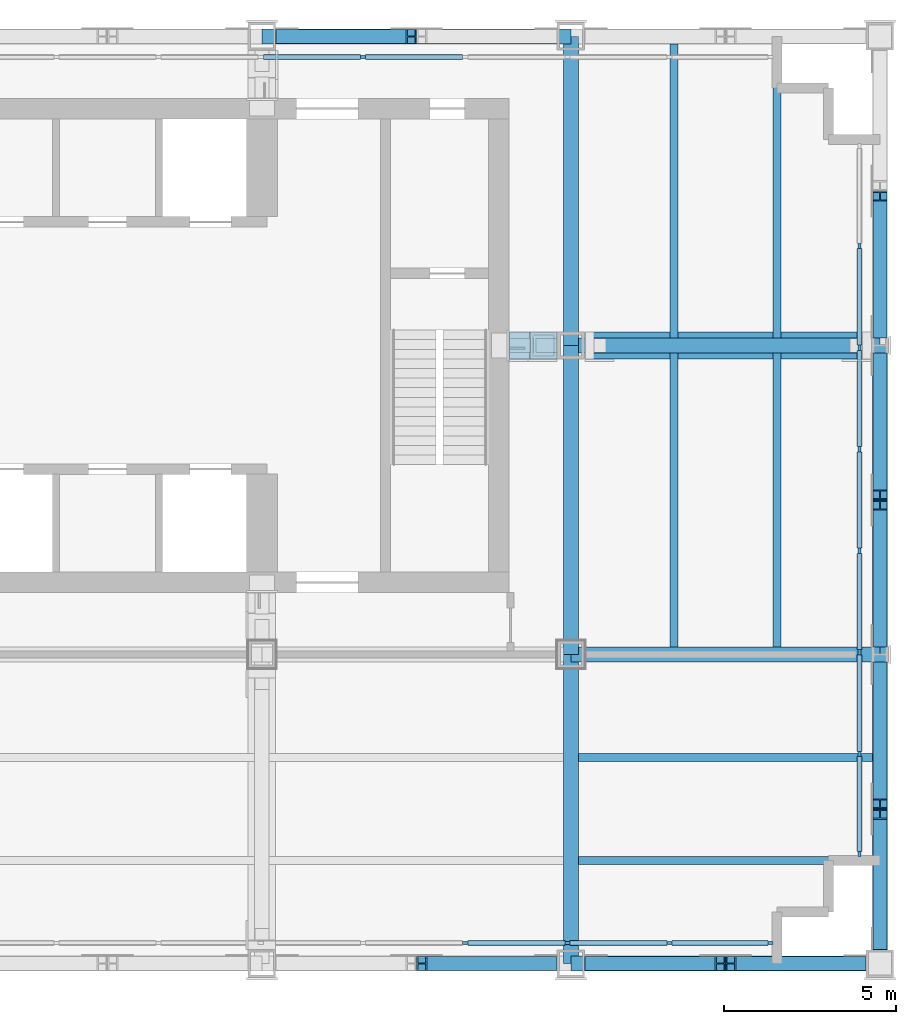
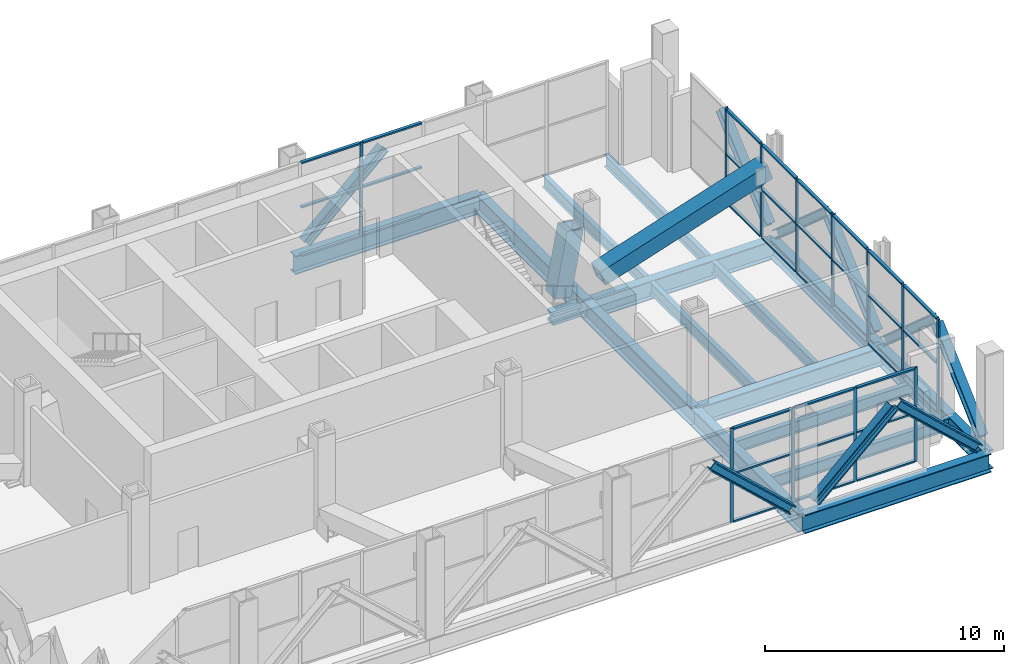
# One storey, part 5 of 13: 57 members, 15 beams, 3 elements without a shape of their own.
"""IFC4 building model written with IfcOpenShell, lengths in metres."""

from ifc_helpers import new_model, si_unit, direction, frame, origin, origin_2d, place, context, subcontext, project, spatial, rectangle, hollow_rectangle, i_section, extrude, material, material_profile, profile_set, type_object, element, aggregate, save


model = new_model("IFC4")

# Units and contexts
model_context = context("Model", 3, precision=1e-05, world=origin(), true_north=direction((0.0, 1.0)))
body_context = subcontext(model_context, "Body", "Model", "MODEL_VIEW")
ifc_project = project(units=[si_unit("LENGTHUNIT", "METRE"), si_unit("AREAUNIT", "SQUARE_METRE"), si_unit("VOLUMEUNIT", "CUBIC_METRE"), si_unit("PLANEANGLEUNIT", "RADIAN"), si_unit("MASSUNIT", "GRAM", prefix="KILO")], contexts=[model_context])

# Site, building, storey
site_placement = place(None, origin())
site = spatial("IfcSite", under=ifc_project, at=site_placement, CompositionType="ELEMENT")
building_placement = place(site_placement, origin())
building = spatial("IfcBuilding", under=site, at=building_placement, Name="Loomwork Tower", CompositionType="ELEMENT")
storey_placement = place(building_placement, frame((0.0, 0.0, 221.60009765625)))
storey = spatial("IfcBuildingStorey", under=building, at=storey_placement, Name="L61", CompositionType="ELEMENT", Elevation=221.60009765625)

# Beams
ifc_material_1 = material(Name="Steel ASTM A992", Category="steel")
ifc_material_profile_1 = material_profile(ifc_material_1, i_section(OverallWidth=0.424072265625, OverallDepth=0.947509765625, WebThickness=0.02392578125, FlangeThickness=0.042724609375, at=origin_2d()), Name="W36x302")
ifc_profile_set_1 = profile_set([ifc_material_profile_1], Name="Steel ASTM A992")
beam_type_1 = type_object("IfcBeamType", Name="BELT CHORD SPANDREL W36x302", PredefinedType="SPANDREL", material=ifc_profile_set_1)
for number, where, z_axis, x_axis, name in (
    (1, (36.0, 0.0, -0.723876953125), (1.0, 0.0, 0.0), (0.0, 1.0, 0.0), "Belt Chord Spandrel D/6-D/7 L61"),
    (2, (27.0, 27.0, -0.723876953125), (1.0, 0.0, 0.0), (0.0, 1.0, 0.0), "Belt Chord Spandrel G/5-G/6 L61"),
    (3, (45.0, 0.0, -0.723876953125), (0.0, 1.0, 0.0), (-1.0, 0.0, 0.0), "Belt Chord Spandrel D/7-E/7 L61"),
    (4, (45.0, 9.0, -0.723876953125), (0.0, 1.0, 0.0), (-1.0, 0.0, 0.0), "Belt Chord Spandrel E/7-F/7 L61"),
):
    element("IfcBeam", number, at=place(storey_placement, frame(where, z_axis=z_axis, x_axis=x_axis)), inside=storey, type_object=beam_type_1, Name=name, PredefinedType="SPANDREL", context=body_context, shape_type="SweptSolid", body=[
        extrude(i_section(OverallWidth=0.424072265625, OverallDepth=0.947509765625, WebThickness=0.02392578125, FlangeThickness=0.042724609375, at=origin_2d()), origin(), (0.0, 0.0, 1.0), 9.0),
    ])

# Members
ifc_material_2 = material(Name="Steel ASTM A992", Category="steel")
ifc_material_profile_2 = material_profile(ifc_material_2, i_section(OverallWidth=0.411376953125, OverallDepth=0.434326171875, WebThickness=0.035888671875, FlangeThickness=0.057373046875, at=origin_2d()), Name="W14x311")
ifc_profile_set_2 = profile_set([ifc_material_profile_2], Name="Steel ASTM A992")
member_type_1 = type_object("IfcMemberType", Name="BELT TRUSS DIAGONAL W14x311", PredefinedType="BRACE", material=ifc_profile_set_2)
for number, where, z_axis, x_axis, name in (
    (5, (35.4423828125, 0.0, 0.169189453125), (-0.732985346521, 0.0, 0.680244427971), (0.0, -1.0, 0.0), "Belt truss diagonal D/5-D/6 L61"),
    (6, (36.5576171875, 0.0, 0.169189453125), (0.732985346521, 0.0, 0.680244427971), (0.0, 1.0, 0.0), "Belt truss diagonal D/6-D/7 L61"),
    (7, (44.4423828125, 0.0, 0.169189453125), (-0.732985346521, 0.0, 0.680244427971), (0.0, -1.0, 0.0), "Belt truss diagonal D/6-D/7 L61"),
    (8, (27.5576171875, 27.0, 0.169189453125), (0.732985346521, 0.0, 0.680244427971), (0.0, 1.0, 0.0), "Belt truss diagonal G/5-G/6 L61"),
    (9, (45.0, 0.5576171875, 0.169189453125), (0.0, 0.732985346521, 0.680244427971), (-1.0, 0.0, 0.0), "Belt truss diagonal D/7-E/7 L61"),
):
    element("IfcMember", number, at=place(storey_placement, frame(where, z_axis=z_axis, x_axis=x_axis)), inside=storey, type_object=member_type_1, Name=name, PredefinedType="BRACE", context=body_context, shape_type="SweptSolid", body=[
        extrude(i_section(OverallWidth=0.411376953125, OverallDepth=0.434326171875, WebThickness=0.035888671875, FlangeThickness=0.057373046875, at=origin_2d()), origin(), (0.0, 0.0, 1.0), 5.166015625),
    ])
for number, where, z_axis, x_axis, name in (
    (10, (45.0, 8.633056640625, 0.1728515625), (0.0, -0.750440506123, 0.660938005239), (1.0, 0.0, 0.0), "Belt truss diagonal D/7-E/7 L61"),
    (11, (45.0, 9.366943359375, 0.1728515625), (0.0, 0.750440506123, 0.660938005239), (-1.0, 0.0, 0.0), "Belt truss diagonal E/7-F/7 L61"),
    (12, (45.0, 17.633056640625, 0.1728515625), (0.0, -0.750440506123, 0.660938005239), (1.0, 0.0, 0.0), "Belt truss diagonal E/7-F/7 L61"),
    (13, (45.0, 18.366943359375, 0.1728515625), (0.0, 0.750440506123, 0.660938005239), (-1.0, 0.0, 0.0), "Belt truss diagonal F/7-G/7 L61"),
):
    element("IfcMember", number, at=place(storey_placement, frame(where, z_axis=z_axis, x_axis=x_axis)), inside=storey, type_object=member_type_1, Name=name, PredefinedType="BRACE", context=body_context, shape_type="SweptSolid", body=[
        extrude(i_section(OverallWidth=0.411376953125, OverallDepth=0.434326171875, WebThickness=0.035888671875, FlangeThickness=0.057373046875, at=origin_2d()), origin(), (0.0, 0.0, 1.0), 5.305419921875),
    ])
ifc_material_3 = material(Name="Steel ASTM A572 Grade 50 plate", Category="steel")
ifc_material_profile_3 = material_profile(ifc_material_3, hollow_rectangle(XDim=0.800048828125, YDim=0.800048828125, WallThickness=0.090087890625, at=origin_2d()), Name="BOX800x90")
ifc_profile_set_3 = profile_set([ifc_material_profile_3], Name="Steel ASTM A572 Grade 50 plate")
member_type_2 = type_object("IfcMemberType", Name="OUTRIGGER DIAGONAL BOX800x90", PredefinedType="BRACE", material=ifc_profile_set_3)
member_1_placement = place(storey_placement, frame((44.6142578125, 18.0, 3.460205078125), z_axis=(-0.950960123723, 0.0, -0.30931350292), x_axis=(0.0, -1.0, 0.0)))
element("IfcMember", 14, at=member_1_placement, inside=storey, type_object=member_type_2, Name="Outrigger diagonal F/7 L61", PredefinedType="BRACE", context=body_context, shape_type="SweptSolid", body=[
    extrude(hollow_rectangle(XDim=0.800048828125, YDim=0.800048828125, WallThickness=0.090087890625, at=origin_2d()), origin(), (0.0, 0.0, 1.0), 8.4951171875),
])
member_2_placement = place(storey_placement, frame((35.1943359375, 18.0, 3.76904296875), z_axis=(-0.178462027692, 0.0, -0.983946799716), x_axis=(0.0, -1.0, 0.0)))
element("IfcMember", 15, at=member_2_placement, inside=storey, type_object=member_type_2, Name="Outrigger diagonal F/6 L61", PredefinedType="BRACE", context=body_context, shape_type="SweptSolid", body=[
    extrude(hollow_rectangle(XDim=0.800048828125, YDim=0.800048828125, WallThickness=0.090087890625, at=origin_2d()), origin(), (0.0, 0.0, 1.0), 3.29833984375),
])

# Beams
ifc_material_4 = material(Name="Steel ASTM A992", Category="steel")
ifc_material_profile_4 = material_profile(ifc_material_4, i_section(OverallWidth=0.4267578125, OverallDepth=0.939697265625, WebThickness=0.028564453125, FlangeThickness=0.050537109375, at=origin_2d()), Name="W36x361")
ifc_profile_set_4 = profile_set([ifc_material_profile_4], Name="Steel ASTM A992")
beam_type_2 = type_object("IfcBeamType", Name="OUTRIGGER FLOOR GIRDER W36x361", PredefinedType="BEAM", material=ifc_profile_set_4)
for number, where, z_axis, x_axis, name in (
    (16, (36.0, 9.0, -0.719970703125), (1.0, 0.0, 0.0), (0.0, 1.0, 0.0), "Outrigger Floor Girder E/6-E/7 L61"),
    (17, (36.0, 0.0, -0.719970703125), (0.0, 1.0, 0.0), (-1.0, 0.0, 0.0), "Outrigger Floor Girder D/6-E/6 L61"),
    (18, (36.0, 9.0, -0.719970703125), (0.0, 1.0, 0.0), (-1.0, 0.0, 0.0), "Outrigger Floor Girder E/6-F/6 L61"),
    (19, (36.0, 18.0, -0.719970703125), (0.0, 1.0, 0.0), (-1.0, 0.0, 0.0), "Outrigger Floor Girder F/6-G/6 L61"),
):
    element("IfcBeam", number, at=place(storey_placement, frame(where, z_axis=z_axis, x_axis=x_axis)), inside=storey, type_object=beam_type_2, Name=name, PredefinedType="BEAM", context=body_context, shape_type="SweptSolid", body=[
        extrude(i_section(OverallWidth=0.4267578125, OverallDepth=0.939697265625, WebThickness=0.028564453125, FlangeThickness=0.050537109375, at=origin_2d()), origin(), (0.0, 0.0, 1.0), 9.0),
    ])
ifc_material_5 = material(Name="Steel ASTM A992", Category="steel")
ifc_material_profile_5 = material_profile(ifc_material_5, i_section(OverallWidth=0.424072265625, OverallDepth=0.947509765625, WebThickness=0.02392578125, FlangeThickness=0.042724609375, at=origin_2d()), Name="W36x302")
ifc_profile_set_5 = profile_set([ifc_material_profile_5], Name="Steel ASTM A992")
beam_type_3 = type_object("IfcBeamType", Name="OUTRIGGER GIRDER W36x302", PredefinedType="BEAM", material=ifc_profile_set_5)
beam_placement = place(storey_placement, frame((36.0, 18.0, -0.723876953125), z_axis=(1.0, 0.0, 0.0), x_axis=(0.0, 1.0, 0.0)))
element("IfcBeam", 20, at=beam_placement, inside=storey, type_object=beam_type_3, Name="Outrigger Girder F/6-F/7 L61", PredefinedType="BEAM", context=body_context, shape_type="SweptSolid", body=[
    extrude(i_section(OverallWidth=0.424072265625, OverallDepth=0.947509765625, WebThickness=0.02392578125, FlangeThickness=0.042724609375, at=origin_2d()), origin(), (0.0, 0.0, 1.0), 9.0),
])

# Member
ifc_material_6 = material(Name="Steel ASTM A992", Category="steel")
ifc_material_profile_6 = material_profile(ifc_material_6, i_section(OverallWidth=0.4775390625, OverallDepth=0.599365234375, WebThickness=0.10009765625, FlangeThickness=0.139892578125, at=origin_2d()), Name="W14x873")
ifc_profile_set_6 = profile_set([ifc_material_profile_6], Name="Steel ASTM A992")
member_type_3 = type_object("IfcMemberType", Name="OUTRIGGER STRUT W14x873", PredefinedType="STRUT", material=ifc_profile_set_6)
member_3_placement = place(storey_placement, frame((35.590087890625, 18.0, -0.5498046875), z_axis=(-1.0, 0.0, 0.0), x_axis=(0.0, -1.0, 0.0)))
element("IfcMember", 21, at=member_3_placement, inside=storey, type_object=member_type_3, Name="Outrigger strut F/6-33.900,18.000 L61", PredefinedType="STRUT", context=body_context, shape_type="SweptSolid", body=[
    extrude(i_section(OverallWidth=0.4775390625, OverallDepth=0.599365234375, WebThickness=0.10009765625, FlangeThickness=0.139892578125, at=origin_2d()), origin(), (0.0, 0.0, 1.0), 1.375),
])

# Beams
ifc_material_7 = material(Name="Steel ASTM A992", Category="steel")
ifc_material_profile_7 = material_profile(ifc_material_7, i_section(OverallWidth=0.228271484375, OverallDepth=0.607177734375, WebThickness=0.01123046875, FlangeThickness=0.017333984375, at=origin_2d()), Name="W24x76")
ifc_profile_set_7 = profile_set([ifc_material_profile_7], Name="Steel ASTM A992")
beam_type_4 = type_object("IfcBeamType", Name="PLANT FLOOR JOIST W24x76", PredefinedType="JOIST", material=ifc_profile_set_7)
for number, where, z_axis, x_axis, name in (
    (22, (36.212890625, 3.0, -0.5537109375), (1.0, 0.0, 0.0), (0.0, 1.0, 0.0), "Plant Floor Joist 36.000,3.000-45.000,3.000 L61"),
    (23, (36.212890625, 6.0, -0.5537109375), (1.0, 0.0, 0.0), (0.0, 1.0, 0.0), "Plant Floor Joist 36.000,6.000-45.000,6.000 L61"),
    (24, (39.0, 9.212890625, -0.5537109375), (0.0, 1.0, 0.0), (-1.0, 0.0, 0.0), "Plant Floor Joist 39.000,9.000-39.000,18.000 L61"),
    (25, (42.0, 9.212890625, -0.5537109375), (0.0, 1.0, 0.0), (-1.0, 0.0, 0.0), "Plant Floor Joist 42.000,9.000-42.000,18.000 L61"),
):
    element("IfcBeam", number, at=place(storey_placement, frame(where, z_axis=z_axis, x_axis=x_axis)), inside=storey, type_object=beam_type_4, Name=name, PredefinedType="JOIST", context=body_context, shape_type="SweptSolid", body=[
        extrude(i_section(OverallWidth=0.228271484375, OverallDepth=0.607177734375, WebThickness=0.01123046875, FlangeThickness=0.017333984375, at=origin_2d()), origin(), (0.0, 0.0, 1.0), 8.5751953125),
    ])
for number, where, z_axis, x_axis, name in (
    (26, (39.0, 18.2119140625, -0.5537109375), (0.0, 1.0, 0.0), (-1.0, 0.0, 0.0), "Plant Floor Joist 39.000,18.000-39.000,27.000 L61"),
    (27, (42.0, 18.2119140625, -0.5537109375), (0.0, 1.0, 0.0), (-1.0, 0.0, 0.0), "Plant Floor Joist 42.000,18.000-42.000,27.000 L61"),
):
    element("IfcBeam", number, at=place(storey_placement, frame(where, z_axis=z_axis, x_axis=x_axis)), inside=storey, type_object=beam_type_4, Name=name, PredefinedType="JOIST", context=body_context, shape_type="SweptSolid", body=[
        extrude(i_section(OverallWidth=0.228271484375, OverallDepth=0.607177734375, WebThickness=0.01123046875, FlangeThickness=0.017333984375, at=origin_2d()), origin(), (0.0, 0.0, 1.0), 8.576171875),
    ])

# Curtain wall, members
ifc_material_8 = material(Name="Aluminium louvre frame", Category="aluminium")
curtain_wall_type = type_object("IfcCurtainWallType", Name="Plant floor louvre screen", PredefinedType="NOTDEFINED", material=ifc_material_8)
curtain_wall_1_placement = place(storey_placement, origin())
curtain_wall_1 = element("IfcCurtainWall", 28, at=curtain_wall_1_placement, inside=storey, type_object=curtain_wall_type, Name="Plant floor louvre screen cw/S", PredefinedType="NOTDEFINED")
ifc_material_9 = material(Name="Aluminium louvre frame", Category="aluminium")
ifc_material_profile_8 = material_profile(ifc_material_9, rectangle(XDim=0.080078125, YDim=0.14990234375, at=origin_2d()), Name="AL 80x150")
ifc_profile_set_8 = profile_set([ifc_material_profile_8], Name="Aluminium louvre frame")
member_type_4 = type_object("IfcMemberType", Name="Plant floor louvre screen mullion", PredefinedType="MULLION", material=ifc_profile_set_8)
member_4_placement = place(storey_placement, frame((32.919189453125, 0.60009765625, 0.0), z_axis=(0.0, 0.0, 1.0), x_axis=(0.0, 1.0, 0.0)))
member_4 = element("IfcMember", 29, at=member_4_placement, type_object=member_type_4, Name="CW4 mullion 11", PredefinedType="MULLION", context=body_context, shape_type="SweptSolid", body=[
    extrude(rectangle(XDim=0.080078125, YDim=0.14990234375, at=origin_2d()), origin(), (0.0, 0.0, 1.0), 4.7998046875),
])
member_5_placement = place(storey_placement, frame((35.896240234375, 0.60009765625, 0.0), z_axis=(0.0, 0.0, 1.0), x_axis=(0.0, 1.0, 0.0)))
member_5 = element("IfcMember", 30, at=member_5_placement, type_object=member_type_4, Name="CW4 mullion 12", PredefinedType="MULLION", context=body_context, shape_type="SweptSolid", body=[
    extrude(rectangle(XDim=0.080078125, YDim=0.14990234375, at=origin_2d()), origin(), (0.0, 0.0, 1.0), 4.7998046875),
])
member_6_placement = place(storey_placement, frame((38.873046875, 0.60009765625, 0.0), z_axis=(0.0, 0.0, 1.0), x_axis=(0.0, 1.0, 0.0)))
member_6 = element("IfcMember", 31, at=member_6_placement, type_object=member_type_4, Name="CW4 mullion 13", PredefinedType="MULLION", context=body_context, shape_type="SweptSolid", body=[
    extrude(rectangle(XDim=0.080078125, YDim=0.14990234375, at=origin_2d()), origin(), (0.0, 0.0, 1.0), 4.7998046875),
])
member_7_placement = place(storey_placement, frame((41.81005859375, 0.60009765625, 0.0), z_axis=(0.0, 0.0, 1.0), x_axis=(0.0, 1.0, 0.0)))
member_7 = element("IfcMember", 32, at=member_7_placement, type_object=member_type_4, Name="CW4 mullion 14", PredefinedType="MULLION", context=body_context, shape_type="SweptSolid", body=[
    extrude(rectangle(XDim=0.080078125, YDim=0.14990234375, at=origin_2d()), origin(), (0.0, 0.0, 1.0), 4.7998046875),
])

curtain_wall_2_placement = place(storey_placement, origin())
curtain_wall_2 = element("IfcCurtainWall", 33, at=curtain_wall_2_placement, inside=storey, type_object=curtain_wall_type, Name="Plant floor louvre screen cw/E", PredefinedType="NOTDEFINED")
member_8_placement = place(storey_placement, frame((44.39990234375, 3.18994140625, 0.0), z_axis=(0.0, 0.0, 1.0), x_axis=(-1.0, 0.0, 0.0)))
member_8 = element("IfcMember", 34, at=member_8_placement, type_object=member_type_4, Name="CW4 mullion 1", PredefinedType="MULLION", context=body_context, shape_type="SweptSolid", body=[
    extrude(rectangle(XDim=0.080078125, YDim=0.14990234375, at=origin_2d()), origin(), (0.0, 0.0, 1.0), 4.7998046875),
])
member_9_placement = place(storey_placement, frame((44.39990234375, 6.107177734375, 0.0), z_axis=(0.0, 0.0, 1.0), x_axis=(-1.0, 0.0, 0.0)))
member_9 = element("IfcMember", 35, at=member_9_placement, type_object=member_type_4, Name="CW4 mullion 2", PredefinedType="MULLION", context=body_context, shape_type="SweptSolid", body=[
    extrude(rectangle(XDim=0.080078125, YDim=0.14990234375, at=origin_2d()), origin(), (0.0, 0.0, 1.0), 4.7998046875),
])
member_10_placement = place(storey_placement, frame((44.39990234375, 9.064208984375, 0.0), z_axis=(0.0, 0.0, 1.0), x_axis=(-1.0, 0.0, 0.0)))
member_10 = element("IfcMember", 36, at=member_10_placement, type_object=member_type_4, Name="CW4 mullion 3", PredefinedType="MULLION", context=body_context, shape_type="SweptSolid", body=[
    extrude(rectangle(XDim=0.080078125, YDim=0.14990234375, at=origin_2d()), origin(), (0.0, 0.0, 1.0), 4.7998046875),
])
member_11_placement = place(storey_placement, frame((44.39990234375, 12.021484375, 0.0), z_axis=(0.0, 0.0, 1.0), x_axis=(-1.0, 0.0, 0.0)))
member_11 = element("IfcMember", 37, at=member_11_placement, type_object=member_type_4, Name="CW4 mullion 4", PredefinedType="MULLION", context=body_context, shape_type="SweptSolid", body=[
    extrude(rectangle(XDim=0.080078125, YDim=0.14990234375, at=origin_2d()), origin(), (0.0, 0.0, 1.0), 4.7998046875),
])
member_12_placement = place(storey_placement, frame((44.39990234375, 14.978515625, 0.0), z_axis=(0.0, 0.0, 1.0), x_axis=(-1.0, 0.0, 0.0)))
member_12 = element("IfcMember", 38, at=member_12_placement, type_object=member_type_4, Name="CW4 mullion 5", PredefinedType="MULLION", context=body_context, shape_type="SweptSolid", body=[
    extrude(rectangle(XDim=0.080078125, YDim=0.14990234375, at=origin_2d()), origin(), (0.0, 0.0, 1.0), 4.7998046875),
])
member_13_placement = place(storey_placement, frame((44.39990234375, 17.935791015625, 0.0), z_axis=(0.0, 0.0, 1.0), x_axis=(-1.0, 0.0, 0.0)))
member_13 = element("IfcMember", 39, at=member_13_placement, type_object=member_type_4, Name="CW4 mullion 6", PredefinedType="MULLION", context=body_context, shape_type="SweptSolid", body=[
    extrude(rectangle(XDim=0.080078125, YDim=0.14990234375, at=origin_2d()), origin(), (0.0, 0.0, 1.0), 4.7998046875),
])
member_14_placement = place(storey_placement, frame((44.39990234375, 20.892822265625, 0.0), z_axis=(0.0, 0.0, 1.0), x_axis=(-1.0, 0.0, 0.0)))
member_14 = element("IfcMember", 40, at=member_14_placement, type_object=member_type_4, Name="CW4 mullion 7", PredefinedType="MULLION", context=body_context, shape_type="SweptSolid", body=[
    extrude(rectangle(XDim=0.080078125, YDim=0.14990234375, at=origin_2d()), origin(), (0.0, 0.0, 1.0), 4.7998046875),
])

# Curtain wall, member
curtain_wall_3_placement = place(storey_placement, origin())
curtain_wall_3 = element("IfcCurtainWall", 41, at=curtain_wall_3_placement, inside=storey, type_object=curtain_wall_type, Name="Plant floor louvre screen cw/N", PredefinedType="NOTDEFINED")
member_15_placement = place(storey_placement, frame((29.9423828125, 26.39990234375, 0.0), z_axis=(0.0, 0.0, 1.0), x_axis=(0.0, -1.0, 0.0)))
member_15 = element("IfcMember", 42, at=member_15_placement, type_object=member_type_4, Name="CW4 mullion 5", PredefinedType="MULLION", context=body_context, shape_type="SweptSolid", body=[
    extrude(rectangle(XDim=0.080078125, YDim=0.14990234375, at=origin_2d()), origin(), (0.0, 0.0, 1.0), 4.7998046875),
])

# Member
ifc_material_10 = material(Name="Aluminium louvre frame", Category="aluminium")
ifc_material_profile_9 = material_profile(ifc_material_10, rectangle(XDim=0.14990234375, YDim=0.080078125, at=origin_2d()), Name="AL 80x150")
ifc_profile_set_9 = profile_set([ifc_material_profile_9], Name="Aluminium louvre frame")
member_type_5 = type_object("IfcMemberType", Name="Plant floor louvre screen transom", PredefinedType="USERDEFINED", material=ifc_profile_set_9)
member_16_placement = place(storey_placement, frame((32.994140625, 0.60009765625, 0.039794921875), z_axis=(1.0, 0.0, 0.0), x_axis=(0.0, 1.0, 0.0)))
member_16 = element("IfcMember", 43, at=member_16_placement, type_object=member_type_5, Name="CW4 transom 11.1", ObjectType="TRANSOM", PredefinedType="USERDEFINED", context=body_context, shape_type="SweptSolid", body=[
    extrude(rectangle(XDim=0.14990234375, YDim=0.080078125, at=origin_2d()), origin(), (0.0, 0.0, 1.0), 2.826904296875),
])

member_17_placement = place(storey_placement, frame((32.994140625, 0.60009765625, 2.5), z_axis=(1.0, 0.0, 0.0), x_axis=(0.0, 1.0, 0.0)))
member_17 = element("IfcMember", 44, at=member_17_placement, type_object=member_type_5, Name="CW4 transom 11.2", ObjectType="TRANSOM", PredefinedType="USERDEFINED", context=body_context, shape_type="SweptSolid", body=[
    extrude(rectangle(XDim=0.14990234375, YDim=0.080078125, at=origin_2d()), origin(), (0.0, 0.0, 1.0), 2.826904296875),
])

member_18_placement = place(storey_placement, frame((32.994140625, 0.60009765625, 4.760009765625), z_axis=(1.0, 0.0, 0.0), x_axis=(0.0, 1.0, 0.0)))
member_18 = element("IfcMember", 45, at=member_18_placement, type_object=member_type_5, Name="CW4 transom 11.3", ObjectType="TRANSOM", PredefinedType="USERDEFINED", context=body_context, shape_type="SweptSolid", body=[
    extrude(rectangle(XDim=0.14990234375, YDim=0.080078125, at=origin_2d()), origin(), (0.0, 0.0, 1.0), 2.826904296875),
])

member_19_placement = place(storey_placement, frame((35.97119140625, 0.60009765625, 0.039794921875), z_axis=(1.0, 0.0, 0.0), x_axis=(0.0, 1.0, 0.0)))
member_19 = element("IfcMember", 46, at=member_19_placement, type_object=member_type_5, Name="CW4 transom 12.1", ObjectType="TRANSOM", PredefinedType="USERDEFINED", context=body_context, shape_type="SweptSolid", body=[
    extrude(rectangle(XDim=0.14990234375, YDim=0.080078125, at=origin_2d()), origin(), (0.0, 0.0, 1.0), 2.826904296875),
])

member_20_placement = place(storey_placement, frame((35.97119140625, 0.60009765625, 2.5), z_axis=(1.0, 0.0, 0.0), x_axis=(0.0, 1.0, 0.0)))
member_20 = element("IfcMember", 47, at=member_20_placement, type_object=member_type_5, Name="CW4 transom 12.2", ObjectType="TRANSOM", PredefinedType="USERDEFINED", context=body_context, shape_type="SweptSolid", body=[
    extrude(rectangle(XDim=0.14990234375, YDim=0.080078125, at=origin_2d()), origin(), (0.0, 0.0, 1.0), 2.826904296875),
])

member_21_placement = place(storey_placement, frame((35.97119140625, 0.60009765625, 4.760009765625), z_axis=(1.0, 0.0, 0.0), x_axis=(0.0, 1.0, 0.0)))
member_21 = element("IfcMember", 48, at=member_21_placement, type_object=member_type_5, Name="CW4 transom 12.3", ObjectType="TRANSOM", PredefinedType="USERDEFINED", context=body_context, shape_type="SweptSolid", body=[
    extrude(rectangle(XDim=0.14990234375, YDim=0.080078125, at=origin_2d()), origin(), (0.0, 0.0, 1.0), 2.826904296875),
])

member_22_placement = place(storey_placement, frame((38.947998046875, 0.60009765625, 0.039794921875), z_axis=(1.0, 0.0, 0.0), x_axis=(0.0, 1.0, 0.0)))
member_22 = element("IfcMember", 49, at=member_22_placement, type_object=member_type_5, Name="CW4 transom 13.1", ObjectType="TRANSOM", PredefinedType="USERDEFINED", context=body_context, shape_type="SweptSolid", body=[
    extrude(rectangle(XDim=0.14990234375, YDim=0.080078125, at=origin_2d()), origin(), (0.0, 0.0, 1.0), 2.787109375),
])

member_23_placement = place(storey_placement, frame((38.947998046875, 0.60009765625, 2.5), z_axis=(1.0, 0.0, 0.0), x_axis=(0.0, 1.0, 0.0)))
member_23 = element("IfcMember", 50, at=member_23_placement, type_object=member_type_5, Name="CW4 transom 13.2", ObjectType="TRANSOM", PredefinedType="USERDEFINED", context=body_context, shape_type="SweptSolid", body=[
    extrude(rectangle(XDim=0.14990234375, YDim=0.080078125, at=origin_2d()), origin(), (0.0, 0.0, 1.0), 2.787109375),
])

member_24_placement = place(storey_placement, frame((38.947998046875, 0.60009765625, 4.760009765625), z_axis=(1.0, 0.0, 0.0), x_axis=(0.0, 1.0, 0.0)))
member_24 = element("IfcMember", 51, at=member_24_placement, type_object=member_type_5, Name="CW4 transom 13.3", ObjectType="TRANSOM", PredefinedType="USERDEFINED", context=body_context, shape_type="SweptSolid", body=[
    extrude(rectangle(XDim=0.14990234375, YDim=0.080078125, at=origin_2d()), origin(), (0.0, 0.0, 1.0), 2.787109375),
])

aggregate(curtain_wall_1, [member_4, member_5, member_6, member_7, member_16, member_17, member_18, member_19, member_20, member_21, member_22, member_23, member_24])

member_25_placement = place(storey_placement, frame((44.39990234375, 3.264892578125, 0.039794921875), z_axis=(0.0, 1.0, 0.0), x_axis=(-1.0, 0.0, 0.0)))
member_25 = element("IfcMember", 52, at=member_25_placement, type_object=member_type_5, Name="CW4 transom 1.1", ObjectType="TRANSOM", PredefinedType="USERDEFINED", context=body_context, shape_type="SweptSolid", body=[
    extrude(rectangle(XDim=0.14990234375, YDim=0.080078125, at=origin_2d()), origin(), (0.0, 0.0, 1.0), 2.767333984375),
])

member_26_placement = place(storey_placement, frame((44.39990234375, 3.264892578125, 2.5), z_axis=(0.0, 1.0, 0.0), x_axis=(-1.0, 0.0, 0.0)))
member_26 = element("IfcMember", 53, at=member_26_placement, type_object=member_type_5, Name="CW4 transom 1.2", ObjectType="TRANSOM", PredefinedType="USERDEFINED", context=body_context, shape_type="SweptSolid", body=[
    extrude(rectangle(XDim=0.14990234375, YDim=0.080078125, at=origin_2d()), origin(), (0.0, 0.0, 1.0), 2.767333984375),
])

member_27_placement = place(storey_placement, frame((44.39990234375, 3.264892578125, 4.760009765625), z_axis=(0.0, 1.0, 0.0), x_axis=(-1.0, 0.0, 0.0)))
member_27 = element("IfcMember", 54, at=member_27_placement, type_object=member_type_5, Name="CW4 transom 1.3", ObjectType="TRANSOM", PredefinedType="USERDEFINED", context=body_context, shape_type="SweptSolid", body=[
    extrude(rectangle(XDim=0.14990234375, YDim=0.080078125, at=origin_2d()), origin(), (0.0, 0.0, 1.0), 2.767333984375),
])

member_28_placement = place(storey_placement, frame((44.39990234375, 6.18212890625, 0.039794921875), z_axis=(0.0, 1.0, 0.0), x_axis=(-1.0, 0.0, 0.0)))
member_28 = element("IfcMember", 55, at=member_28_placement, type_object=member_type_5, Name="CW4 transom 2.1", ObjectType="TRANSOM", PredefinedType="USERDEFINED", context=body_context, shape_type="SweptSolid", body=[
    extrude(rectangle(XDim=0.14990234375, YDim=0.080078125, at=origin_2d()), origin(), (0.0, 0.0, 1.0), 2.80712890625),
])

member_29_placement = place(storey_placement, frame((44.39990234375, 6.18212890625, 2.5), z_axis=(0.0, 1.0, 0.0), x_axis=(-1.0, 0.0, 0.0)))
member_29 = element("IfcMember", 56, at=member_29_placement, type_object=member_type_5, Name="CW4 transom 2.2", ObjectType="TRANSOM", PredefinedType="USERDEFINED", context=body_context, shape_type="SweptSolid", body=[
    extrude(rectangle(XDim=0.14990234375, YDim=0.080078125, at=origin_2d()), origin(), (0.0, 0.0, 1.0), 2.80712890625),
])

member_30_placement = place(storey_placement, frame((44.39990234375, 6.18212890625, 4.760009765625), z_axis=(0.0, 1.0, 0.0), x_axis=(-1.0, 0.0, 0.0)))
member_30 = element("IfcMember", 57, at=member_30_placement, type_object=member_type_5, Name="CW4 transom 2.3", ObjectType="TRANSOM", PredefinedType="USERDEFINED", context=body_context, shape_type="SweptSolid", body=[
    extrude(rectangle(XDim=0.14990234375, YDim=0.080078125, at=origin_2d()), origin(), (0.0, 0.0, 1.0), 2.80712890625),
])

member_31_placement = place(storey_placement, frame((44.39990234375, 9.139404296875, 0.039794921875), z_axis=(0.0, 1.0, 0.0), x_axis=(-1.0, 0.0, 0.0)))
member_31 = element("IfcMember", 58, at=member_31_placement, type_object=member_type_5, Name="CW4 transom 3.1", ObjectType="TRANSOM", PredefinedType="USERDEFINED", context=body_context, shape_type="SweptSolid", body=[
    extrude(rectangle(XDim=0.14990234375, YDim=0.080078125, at=origin_2d()), origin(), (0.0, 0.0, 1.0), 2.80712890625),
])

member_32_placement = place(storey_placement, frame((44.39990234375, 9.139404296875, 2.5), z_axis=(0.0, 1.0, 0.0), x_axis=(-1.0, 0.0, 0.0)))
member_32 = element("IfcMember", 59, at=member_32_placement, type_object=member_type_5, Name="CW4 transom 3.2", ObjectType="TRANSOM", PredefinedType="USERDEFINED", context=body_context, shape_type="SweptSolid", body=[
    extrude(rectangle(XDim=0.14990234375, YDim=0.080078125, at=origin_2d()), origin(), (0.0, 0.0, 1.0), 2.80712890625),
])

member_33_placement = place(storey_placement, frame((44.39990234375, 9.139404296875, 4.760009765625), z_axis=(0.0, 1.0, 0.0), x_axis=(-1.0, 0.0, 0.0)))
member_33 = element("IfcMember", 60, at=member_33_placement, type_object=member_type_5, Name="CW4 transom 3.3", ObjectType="TRANSOM", PredefinedType="USERDEFINED", context=body_context, shape_type="SweptSolid", body=[
    extrude(rectangle(XDim=0.14990234375, YDim=0.080078125, at=origin_2d()), origin(), (0.0, 0.0, 1.0), 2.80712890625),
])

member_34_placement = place(storey_placement, frame((44.39990234375, 12.096435546875, 0.039794921875), z_axis=(0.0, 1.0, 0.0), x_axis=(-1.0, 0.0, 0.0)))
member_34 = element("IfcMember", 61, at=member_34_placement, type_object=member_type_5, Name="CW4 transom 4.1", ObjectType="TRANSOM", PredefinedType="USERDEFINED", context=body_context, shape_type="SweptSolid", body=[
    extrude(rectangle(XDim=0.14990234375, YDim=0.080078125, at=origin_2d()), origin(), (0.0, 0.0, 1.0), 2.80712890625),
])

member_35_placement = place(storey_placement, frame((44.39990234375, 12.096435546875, 2.5), z_axis=(0.0, 1.0, 0.0), x_axis=(-1.0, 0.0, 0.0)))
member_35 = element("IfcMember", 62, at=member_35_placement, type_object=member_type_5, Name="CW4 transom 4.2", ObjectType="TRANSOM", PredefinedType="USERDEFINED", context=body_context, shape_type="SweptSolid", body=[
    extrude(rectangle(XDim=0.14990234375, YDim=0.080078125, at=origin_2d()), origin(), (0.0, 0.0, 1.0), 2.80712890625),
])

member_36_placement = place(storey_placement, frame((44.39990234375, 12.096435546875, 4.760009765625), z_axis=(0.0, 1.0, 0.0), x_axis=(-1.0, 0.0, 0.0)))
member_36 = element("IfcMember", 63, at=member_36_placement, type_object=member_type_5, Name="CW4 transom 4.3", ObjectType="TRANSOM", PredefinedType="USERDEFINED", context=body_context, shape_type="SweptSolid", body=[
    extrude(rectangle(XDim=0.14990234375, YDim=0.080078125, at=origin_2d()), origin(), (0.0, 0.0, 1.0), 2.80712890625),
])

member_37_placement = place(storey_placement, frame((44.39990234375, 15.053466796875, 0.039794921875), z_axis=(0.0, 1.0, 0.0), x_axis=(-1.0, 0.0, 0.0)))
member_37 = element("IfcMember", 64, at=member_37_placement, type_object=member_type_5, Name="CW4 transom 5.1", ObjectType="TRANSOM", PredefinedType="USERDEFINED", context=body_context, shape_type="SweptSolid", body=[
    extrude(rectangle(XDim=0.14990234375, YDim=0.080078125, at=origin_2d()), origin(), (0.0, 0.0, 1.0), 2.80712890625),
])

member_38_placement = place(storey_placement, frame((44.39990234375, 15.053466796875, 2.5), z_axis=(0.0, 1.0, 0.0), x_axis=(-1.0, 0.0, 0.0)))
member_38 = element("IfcMember", 65, at=member_38_placement, type_object=member_type_5, Name="CW4 transom 5.2", ObjectType="TRANSOM", PredefinedType="USERDEFINED", context=body_context, shape_type="SweptSolid", body=[
    extrude(rectangle(XDim=0.14990234375, YDim=0.080078125, at=origin_2d()), origin(), (0.0, 0.0, 1.0), 2.80712890625),
])

member_39_placement = place(storey_placement, frame((44.39990234375, 15.053466796875, 4.760009765625), z_axis=(0.0, 1.0, 0.0), x_axis=(-1.0, 0.0, 0.0)))
member_39 = element("IfcMember", 66, at=member_39_placement, type_object=member_type_5, Name="CW4 transom 5.3", ObjectType="TRANSOM", PredefinedType="USERDEFINED", context=body_context, shape_type="SweptSolid", body=[
    extrude(rectangle(XDim=0.14990234375, YDim=0.080078125, at=origin_2d()), origin(), (0.0, 0.0, 1.0), 2.80712890625),
])

member_40_placement = place(storey_placement, frame((44.39990234375, 18.0107421875, 0.039794921875), z_axis=(0.0, 1.0, 0.0), x_axis=(-1.0, 0.0, 0.0)))
member_40 = element("IfcMember", 67, at=member_40_placement, type_object=member_type_5, Name="CW4 transom 6.1", ObjectType="TRANSOM", PredefinedType="USERDEFINED", context=body_context, shape_type="SweptSolid", body=[
    extrude(rectangle(XDim=0.14990234375, YDim=0.080078125, at=origin_2d()), origin(), (0.0, 0.0, 1.0), 2.80712890625),
])

member_41_placement = place(storey_placement, frame((44.39990234375, 18.0107421875, 2.5), z_axis=(0.0, 1.0, 0.0), x_axis=(-1.0, 0.0, 0.0)))
member_41 = element("IfcMember", 68, at=member_41_placement, type_object=member_type_5, Name="CW4 transom 6.2", ObjectType="TRANSOM", PredefinedType="USERDEFINED", context=body_context, shape_type="SweptSolid", body=[
    extrude(rectangle(XDim=0.14990234375, YDim=0.080078125, at=origin_2d()), origin(), (0.0, 0.0, 1.0), 2.80712890625),
])

member_42_placement = place(storey_placement, frame((44.39990234375, 18.0107421875, 4.760009765625), z_axis=(0.0, 1.0, 0.0), x_axis=(-1.0, 0.0, 0.0)))
member_42 = element("IfcMember", 69, at=member_42_placement, type_object=member_type_5, Name="CW4 transom 6.3", ObjectType="TRANSOM", PredefinedType="USERDEFINED", context=body_context, shape_type="SweptSolid", body=[
    extrude(rectangle(XDim=0.14990234375, YDim=0.080078125, at=origin_2d()), origin(), (0.0, 0.0, 1.0), 2.80712890625),
])

aggregate(curtain_wall_2, [member_8, member_9, member_10, member_11, member_12, member_13, member_14, member_25, member_26, member_27, member_28, member_29, member_30, member_31, member_32, member_33, member_34, member_35, member_36, member_37, member_38, member_39, member_40, member_41, member_42])

member_43_placement = place(storey_placement, frame((32.84423828125, 26.39990234375, 0.039794921875), z_axis=(-1.0, 0.0, 0.0), x_axis=(0.0, -1.0, 0.0)))
member_43 = element("IfcMember", 70, at=member_43_placement, type_object=member_type_5, Name="CW4 transom 4.1", ObjectType="TRANSOM", PredefinedType="USERDEFINED", context=body_context, shape_type="SweptSolid", body=[
    extrude(rectangle(XDim=0.14990234375, YDim=0.080078125, at=origin_2d()), origin(), (0.0, 0.0, 1.0), 2.826904296875),
])

member_44_placement = place(storey_placement, frame((32.84423828125, 26.39990234375, 2.5), z_axis=(-1.0, 0.0, 0.0), x_axis=(0.0, -1.0, 0.0)))
member_44 = element("IfcMember", 71, at=member_44_placement, type_object=member_type_5, Name="CW4 transom 4.2", ObjectType="TRANSOM", PredefinedType="USERDEFINED", context=body_context, shape_type="SweptSolid", body=[
    extrude(rectangle(XDim=0.14990234375, YDim=0.080078125, at=origin_2d()), origin(), (0.0, 0.0, 1.0), 2.826904296875),
])

member_45_placement = place(storey_placement, frame((32.84423828125, 26.39990234375, 4.760009765625), z_axis=(-1.0, 0.0, 0.0), x_axis=(0.0, -1.0, 0.0)))
member_45 = element("IfcMember", 72, at=member_45_placement, type_object=member_type_5, Name="CW4 transom 4.3", ObjectType="TRANSOM", PredefinedType="USERDEFINED", context=body_context, shape_type="SweptSolid", body=[
    extrude(rectangle(XDim=0.14990234375, YDim=0.080078125, at=origin_2d()), origin(), (0.0, 0.0, 1.0), 2.826904296875),
])

member_46_placement = place(storey_placement, frame((29.8671875, 26.39990234375, 0.039794921875), z_axis=(-1.0, 0.0, 0.0), x_axis=(0.0, -1.0, 0.0)))
member_46 = element("IfcMember", 73, at=member_46_placement, type_object=member_type_5, Name="CW4 transom 5.1", ObjectType="TRANSOM", PredefinedType="USERDEFINED", context=body_context, shape_type="SweptSolid", body=[
    extrude(rectangle(XDim=0.14990234375, YDim=0.080078125, at=origin_2d()), origin(), (0.0, 0.0, 1.0), 2.826904296875),
])

member_47_placement = place(storey_placement, frame((29.8671875, 26.39990234375, 2.5), z_axis=(-1.0, 0.0, 0.0), x_axis=(0.0, -1.0, 0.0)))
member_47 = element("IfcMember", 74, at=member_47_placement, type_object=member_type_5, Name="CW4 transom 5.2", ObjectType="TRANSOM", PredefinedType="USERDEFINED", context=body_context, shape_type="SweptSolid", body=[
    extrude(rectangle(XDim=0.14990234375, YDim=0.080078125, at=origin_2d()), origin(), (0.0, 0.0, 1.0), 2.826904296875),
])

member_48_placement = place(storey_placement, frame((29.8671875, 26.39990234375, 4.760009765625), z_axis=(-1.0, 0.0, 0.0), x_axis=(0.0, -1.0, 0.0)))
member_48 = element("IfcMember", 75, at=member_48_placement, type_object=member_type_5, Name="CW4 transom 5.3", ObjectType="TRANSOM", PredefinedType="USERDEFINED", context=body_context, shape_type="SweptSolid", body=[
    extrude(rectangle(XDim=0.14990234375, YDim=0.080078125, at=origin_2d()), origin(), (0.0, 0.0, 1.0), 2.826904296875),
])

aggregate(curtain_wall_3, [member_15, member_43, member_44, member_45, member_46, member_47, member_48])

save(model, "model.ifc")
